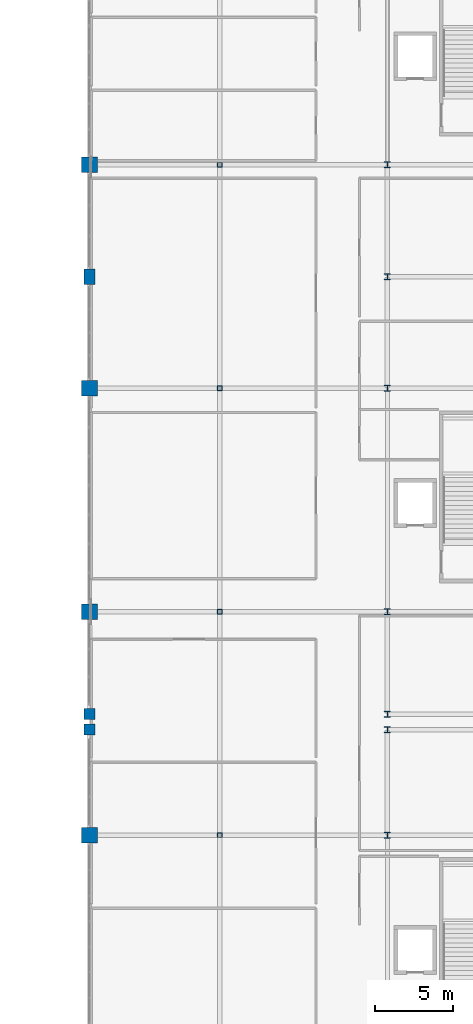
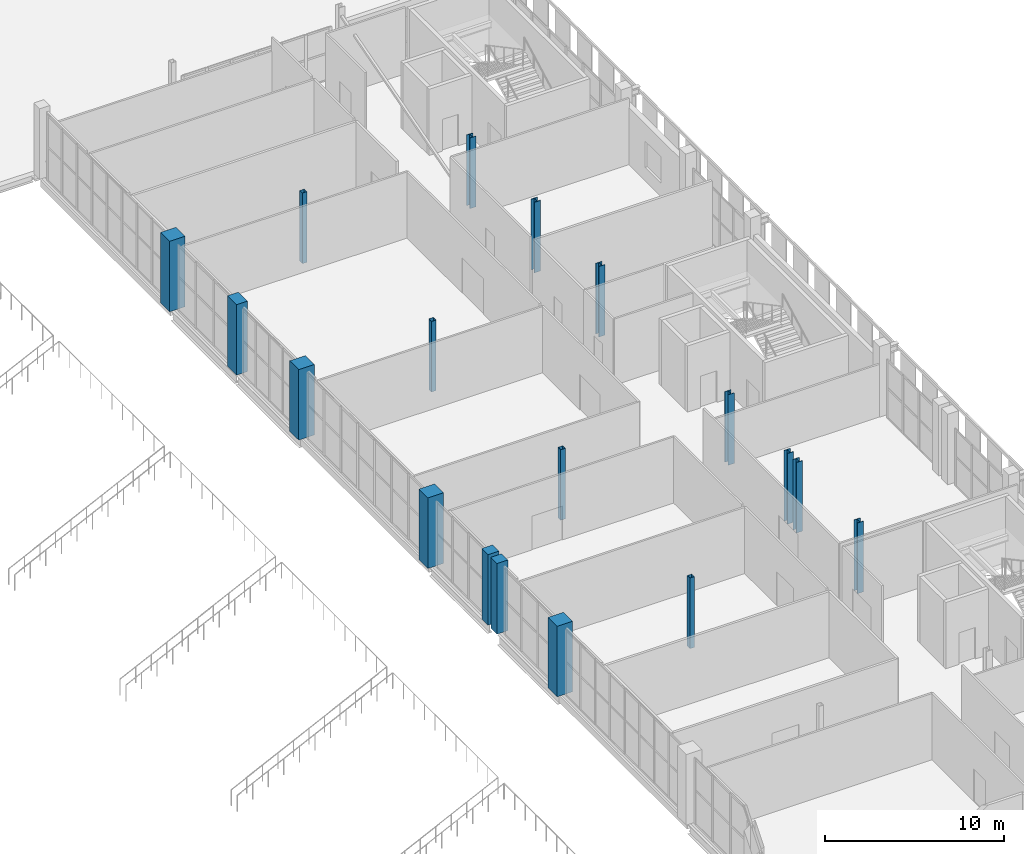
# One storey, part 8 of 104: 18 columns.
"""IFC4 building model written with IfcOpenShell, lengths in metres."""

from ifc_helpers import new_model, si_unit, direction, frame, origin, origin_2d, place, context, subcontext, project, spatial, rectangle, hollow_rectangle, i_section, extrude, material, material_profile, profile_set, type_object, element, save


model = new_model("IFC4")

# Units and contexts
model_context = context("Model", 3, precision=1e-05, world=origin(), true_north=direction((0.0, 1.0)))
body_context = subcontext(model_context, "Body", "Model", "MODEL_VIEW")
ifc_project = project(units=[si_unit("LENGTHUNIT", "METRE"), si_unit("AREAUNIT", "SQUARE_METRE"), si_unit("VOLUMEUNIT", "CUBIC_METRE"), si_unit("PLANEANGLEUNIT", "RADIAN"), si_unit("MASSUNIT", "GRAM", prefix="KILO")], contexts=[model_context])

# Site, building, storey
site_placement = place(None, origin())
site = spatial("IfcSite", under=ifc_project, at=site_placement, CompositionType="ELEMENT")
building_placement = place(site_placement, origin())
building = spatial("IfcBuilding", under=site, at=building_placement, Name="Koshinbarg Plaza Stadium", CompositionType="ELEMENT")
storey_placement = place(building_placement, frame((0.0, 0.0, 19.800048828125)))
storey = spatial("IfcBuildingStorey", under=building, at=storey_placement, Name="L04", CompositionType="ELEMENT", Elevation=19.800048828125)

# Columns
ifc_material_1 = material(Name="Concrete C40/50", Category="concrete")
ifc_material_profile_1 = material_profile(ifc_material_1, rectangle(XDim=0.699951171875, YDim=0.699951171875, at=origin_2d()), Name="RC 700x700")
ifc_profile_set_1 = profile_set([ifc_material_profile_1], Name="Concrete C40/50")
column_type_1 = type_object("IfcColumnType", Name="COL-RC-06", PredefinedType="COLUMN", material=ifc_profile_set_1)
for number, where, z_axis, x_axis, name in (
    (1, (189.39990234375, 75.5, 0.0), (0.0, 0.0, 1.0), (1.0, 0.0, 0.0), "L04 column 18/K"),
    (2, (189.39990234375, 76.5, 0.0), (0.0, 0.0, 1.0), (1.0, 0.0, 0.0), "L04 column 18/L"),
):
    element("IfcColumn", number, at=place(storey_placement, frame(where, z_axis=z_axis, x_axis=x_axis)), inside=storey, type_object=column_type_1, Name=name, PredefinedType="COLUMN", context=body_context, shape_type="SweptSolid", body=[
        extrude(rectangle(XDim=0.699951171875, YDim=0.699951171875, at=origin_2d()), origin(), (0.0, 0.0, 1.0), 4.800048828125),
    ])
ifc_material_profile_2 = material_profile(ifc_material_1, rectangle(XDim=1.0, YDim=1.0, at=origin_2d()), Name="RC 1000x1000")
ifc_profile_set_2 = profile_set([ifc_material_profile_2], Name="Concrete C40/50")
column_type_2 = type_object("IfcColumnType", Name="COL-RC-11", PredefinedType="COLUMN", material=ifc_profile_set_2)
for number, where, z_axis, x_axis, name in (
    (3, (189.39990234375, 68.699951171875, 0.0), (0.0, 0.0, 1.0), (1.0, 0.0, 0.0), "L04 column 18/J"),
    (4, (189.39990234375, 83.10009765625, 0.0), (0.0, 0.0, 1.0), (1.0, 0.0, 0.0), "L04 column 18/M"),
    (5, (189.39990234375, 97.5, 0.0), (0.0, 0.0, 1.0), (1.0, 0.0, 0.0), "L04 column 18/N"),
    (6, (189.39990234375, 111.89990234375, 0.0), (0.0, 0.0, 1.0), (1.0, 0.0, 0.0), "L04 column 18/Q"),
):
    element("IfcColumn", number, at=place(storey_placement, frame(where, z_axis=z_axis, x_axis=x_axis)), inside=storey, type_object=column_type_2, Name=name, PredefinedType="COLUMN", context=body_context, shape_type="SweptSolid", body=[
        extrude(rectangle(XDim=1.0, YDim=1.0, at=origin_2d()), origin(), (0.0, 0.0, 1.0), 4.800048828125),
    ])
ifc_material_profile_3 = material_profile(ifc_material_1, rectangle(XDim=0.699951171875, YDim=1.0, at=origin_2d()), Name="RC 700x1000")
ifc_profile_set_3 = profile_set([ifc_material_profile_3], Name="Concrete C40/50")
column_type_3 = type_object("IfcColumnType", Name="COL-RC-13", PredefinedType="COLUMN", material=ifc_profile_set_3)
column_placement = place(storey_placement, frame((189.39990234375, 104.699951171875, 0.0), z_axis=(0.0, 0.0, 1.0), x_axis=(1.0, 0.0, 0.0)))
element("IfcColumn", 7, at=column_placement, inside=storey, type_object=column_type_3, Name="L04 column 18/P", PredefinedType="COLUMN", context=body_context, shape_type="SweptSolid", body=[
    extrude(rectangle(XDim=0.699951171875, YDim=1.0, at=origin_2d()), origin(), (0.0, 0.0, 1.0), 4.800048828125),
])
ifc_material_2 = material(Name="Steel S355", Category="steel")
ifc_material_profile_4 = material_profile(ifc_material_2, i_section(OverallWidth=0.39501953125, OverallDepth=0.3798828125, WebThickness=0.018798828125, FlangeThickness=0.0302734375, at=origin_2d()), Name="HD 400x237")
ifc_profile_set_4 = profile_set([ifc_material_profile_4], Name="Steel S355")
column_type_4 = type_object("IfcColumnType", Name="COL-STL-01", PredefinedType="COLUMN", material=ifc_profile_set_4)
for number, where, z_axis, x_axis, name in (
    (8, (208.60009765625, 68.699951171875, 0.0), (0.0, 0.0, 1.0), (1.0, 0.0, 0.0), "L04 column 20/J"),
    (9, (208.60009765625, 75.5, 0.0), (0.0, 0.0, 1.0), (1.0, 0.0, 0.0), "L04 column 20/K"),
    (10, (208.60009765625, 76.5, 0.0), (0.0, 0.0, 1.0), (1.0, 0.0, 0.0), "L04 column 20/L"),
    (11, (208.60009765625, 83.10009765625, 0.0), (0.0, 0.0, 1.0), (1.0, 0.0, 0.0), "L04 column 20/M"),
    (12, (208.60009765625, 97.5, 0.0), (0.0, 0.0, 1.0), (1.0, 0.0, 0.0), "L04 column 20/N"),
    (13, (208.60009765625, 104.699951171875, 0.0), (0.0, 0.0, 1.0), (1.0, 0.0, 0.0), "L04 column 20/P"),
    (14, (208.60009765625, 111.89990234375, 0.0), (0.0, 0.0, 1.0), (1.0, 0.0, 0.0), "L04 column 20/Q"),
):
    element("IfcColumn", number, at=place(storey_placement, frame(where, z_axis=z_axis, x_axis=x_axis)), inside=storey, type_object=column_type_4, Name=name, PredefinedType="COLUMN", context=body_context, shape_type="SweptSolid", body=[
        extrude(i_section(OverallWidth=0.39501953125, OverallDepth=0.3798828125, WebThickness=0.018798828125, FlangeThickness=0.0302734375, at=origin_2d()), origin(), (0.0, 0.0, 1.0), 4.800048828125),
    ])
ifc_material_profile_5 = material_profile(ifc_material_2, hollow_rectangle(XDim=0.300048828125, YDim=0.300048828125, WallThickness=0.01611328125, at=origin_2d()), Name="SHS 300x300x16")
ifc_profile_set_5 = profile_set([ifc_material_profile_5], Name="Steel S355")
column_type_5 = type_object("IfcColumnType", Name="COL-STL-06", PredefinedType="COLUMN", material=ifc_profile_set_5)
for number, where, z_axis, x_axis, name in (
    (15, (197.800048828125, 68.699951171875, 0.0), (0.0, 0.0, 1.0), (1.0, 0.0, 0.0), "L04 column 19/J"),
    (16, (197.800048828125, 83.10009765625, 0.0), (0.0, 0.0, 1.0), (1.0, 0.0, 0.0), "L04 column 19/M"),
    (17, (197.800048828125, 97.5, 0.0), (0.0, 0.0, 1.0), (1.0, 0.0, 0.0), "L04 column 19/N"),
    (18, (197.800048828125, 111.89990234375, 0.0), (0.0, 0.0, 1.0), (1.0, 0.0, 0.0), "L04 column 19/Q"),
):
    element("IfcColumn", number, at=place(storey_placement, frame(where, z_axis=z_axis, x_axis=x_axis)), inside=storey, type_object=column_type_5, Name=name, PredefinedType="COLUMN", context=body_context, shape_type="SweptSolid", body=[
        extrude(hollow_rectangle(XDim=0.300048828125, YDim=0.300048828125, WallThickness=0.01611328125, at=origin_2d()), origin(), (0.0, 0.0, 1.0), 4.800048828125),
    ])

save(model, "model.ifc")
